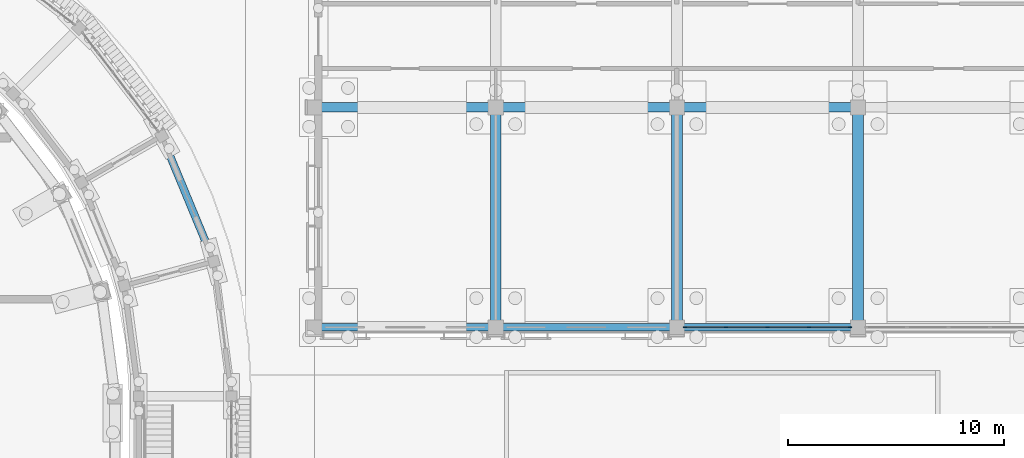
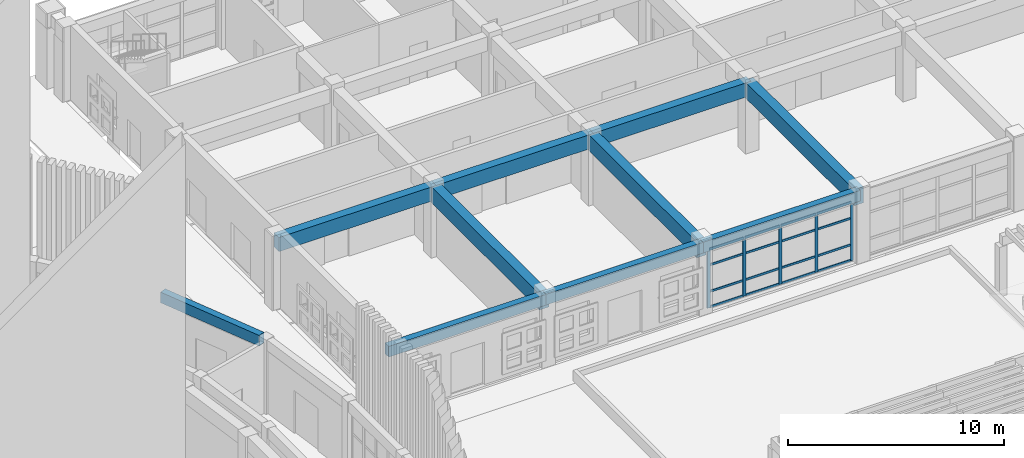
# One storey, part 35 of 112: 21 members, 10 beams, 1 element without a shape of its own.
"""IFC4 building model written with IfcOpenShell, lengths in metres."""

from ifc_helpers import new_model, si_unit, direction, frame, origin, origin_2d, place, context, subcontext, project, spatial, rectangle, extrude, material, layer, layer_set, material_profile, profile_set, type_object, element, aggregate, save


model = new_model("IFC4")

# Units and contexts
model_context = context("Model", 3, precision=1e-05, world=origin(), true_north=direction((0.0, 1.0)))
body_context = subcontext(model_context, "Body", "Model", "MODEL_VIEW")
ifc_project = project(units=[si_unit("LENGTHUNIT", "METRE"), si_unit("AREAUNIT", "SQUARE_METRE"), si_unit("VOLUMEUNIT", "CUBIC_METRE"), si_unit("PLANEANGLEUNIT", "RADIAN"), si_unit("MASSUNIT", "GRAM", prefix="KILO")], contexts=[model_context])

# Site, building, storey
site_placement = place(None, origin())
site = spatial("IfcSite", under=ifc_project, at=site_placement, CompositionType="ELEMENT")
building_placement = place(site_placement, origin())
building = spatial("IfcBuilding", under=site, at=building_placement, Name="Wasatch Bagh Community Centre", CompositionType="ELEMENT")
storey_placement = place(building_placement, origin())
storey = spatial("IfcBuildingStorey", under=building, at=storey_placement, Name="L00", CompositionType="ELEMENT", Elevation=0.0)

# Beams
ifc_material_1 = material(Name="Concrete C35", Category="concrete")
ifc_material_profile_1 = material_profile(ifc_material_1, rectangle(XDim=0.35009765625, YDim=0.60009765625, at=origin_2d()), Name="RC 350x600")
ifc_profile_set_1 = profile_set([ifc_material_profile_1], Name="Concrete C35")
beam_type_1 = type_object("IfcBeamType", Name="Drum ring beam RC 350x600", PredefinedType="BEAM", material=ifc_profile_set_1)
beam_1_placement = place(storey_placement, frame((59.2216796875, 71.505126953125, 3.89990234375), z_axis=(-0.38268910224, 0.923877183952, 0.0), x_axis=(-0.923877183952, -0.38268910224, 0.0)))
element("IfcBeam", 1, at=beam_1_placement, inside=storey, type_object=beam_type_1, Name="Ring beam 4.2 DO-N1-DO-N2", PredefinedType="BEAM", context=body_context, shape_type="SweptSolid", body=[
    extrude(rectangle(XDim=0.35009765625, YDim=0.60009765625, at=origin_2d()), origin(), (0.0, 0.0, 1.0), 5.753173828125),
])
ifc_material_profile_2 = material_profile(ifc_material_1, rectangle(XDim=0.35009765625, YDim=0.60009765625, at=origin_2d()), Name="RC 350x600")
ifc_profile_set_2 = profile_set([ifc_material_profile_2], Name="Concrete C35")
beam_type_2 = type_object("IfcBeamType", Name="LW RC 350x600", PredefinedType="BEAM", material=ifc_profile_set_2)
beam_2_placement = place(storey_placement, frame((64.0, 68.199951171875, 3.6201171875), z_axis=(1.0, 0.0, 0.0), x_axis=(0.0, 1.0, 0.0)))
element("IfcBeam", 2, at=beam_2_placement, inside=storey, type_object=beam_type_2, Name="W1-W2Z", PredefinedType="BEAM", context=body_context, shape_type="SweptSolid", body=[
    extrude(rectangle(XDim=0.35009765625, YDim=0.60009765625, at=origin_2d()), origin(), (0.0, 0.0, 1.0), 8.39990234375),
])
beam_3_placement = place(storey_placement, frame((72.39990234375, 68.199951171875, 3.6201171875), z_axis=(1.0, 0.0, 0.0), x_axis=(0.0, 1.0, 0.0)))
element("IfcBeam", 3, at=beam_3_placement, inside=storey, type_object=beam_type_2, Name="W2-W3Z", PredefinedType="BEAM", context=body_context, shape_type="SweptSolid", body=[
    extrude(rectangle(XDim=0.35009765625, YDim=0.60009765625, at=origin_2d()), origin(), (0.0, 0.0, 1.0), 8.400146484375),
])
beam_4_placement = place(storey_placement, frame((80.800048828125, 68.199951171875, 3.6201171875), z_axis=(1.0, 0.0, 0.0), x_axis=(0.0, 1.0, 0.0)))
element("IfcBeam", 4, at=beam_4_placement, inside=storey, type_object=beam_type_2, Name="W3-W4Z", PredefinedType="BEAM", context=body_context, shape_type="SweptSolid", body=[
    extrude(rectangle(XDim=0.35009765625, YDim=0.60009765625, at=origin_2d()), origin(), (0.0, 0.0, 1.0), 8.39990234375),
])
ifc_material_profile_3 = material_profile(ifc_material_1, rectangle(XDim=0.449951171875, YDim=0.800048828125, at=origin_2d()), Name="RC 450x800")
ifc_profile_set_3 = profile_set([ifc_material_profile_3], Name="Concrete C35")
beam_type_3 = type_object("IfcBeamType", Name="LW RC 450x800", PredefinedType="BEAM", material=ifc_profile_set_3)
beam_5_placement = place(storey_placement, frame((64.0, 78.39990234375, 3.52001953125), z_axis=(1.0, 0.0, 0.0), x_axis=(0.0, 1.0, 0.0)))
element("IfcBeam", 5, at=beam_5_placement, inside=storey, type_object=beam_type_3, Name="W1-W2S", PredefinedType="BEAM", context=body_context, shape_type="SweptSolid", body=[
    extrude(rectangle(XDim=0.449951171875, YDim=0.800048828125, at=origin_2d()), origin(), (0.0, 0.0, 1.0), 8.39990234375),
])
beam_6_placement = place(storey_placement, frame((72.39990234375, 78.39990234375, 3.52001953125), z_axis=(1.0, 0.0, 0.0), x_axis=(0.0, 1.0, 0.0)))
element("IfcBeam", 6, at=beam_6_placement, inside=storey, type_object=beam_type_3, Name="W2-W3S", PredefinedType="BEAM", context=body_context, shape_type="SweptSolid", body=[
    extrude(rectangle(XDim=0.449951171875, YDim=0.800048828125, at=origin_2d()), origin(), (0.0, 0.0, 1.0), 8.400146484375),
])
beam_7_placement = place(storey_placement, frame((80.800048828125, 78.39990234375, 3.52001953125), z_axis=(1.0, 0.0, 0.0), x_axis=(0.0, 1.0, 0.0)))
element("IfcBeam", 7, at=beam_7_placement, inside=storey, type_object=beam_type_3, Name="W3-W4S", PredefinedType="BEAM", context=body_context, shape_type="SweptSolid", body=[
    extrude(rectangle(XDim=0.449951171875, YDim=0.800048828125, at=origin_2d()), origin(), (0.0, 0.0, 1.0), 8.39990234375),
])
ifc_material_profile_4 = material_profile(ifc_material_1, rectangle(XDim=0.5, YDim=0.89990234375, at=origin_2d()), Name="RC 500x900")
ifc_profile_set_4 = profile_set([ifc_material_profile_4], Name="Concrete C35")
beam_type_4 = type_object("IfcBeamType", Name="LW RC 500x900", PredefinedType="BEAM", material=ifc_profile_set_4)
for number, where, z_axis, x_axis, name in (
    (8, (72.39990234375, 68.199951171875, 3.469970703125), (0.0, 1.0, 0.0), (-1.0, 0.0, 0.0), "W2Z-S"),
    (9, (80.800048828125, 68.199951171875, 3.469970703125), (0.0, 1.0, 0.0), (-1.0, 0.0, 0.0), "W3Z-S"),
    (10, (89.199951171875, 68.199951171875, 3.469970703125), (0.0, 1.0, 0.0), (-1.0, 0.0, 0.0), "W4Z-S"),
):
    element("IfcBeam", number, at=place(storey_placement, frame(where, z_axis=z_axis, x_axis=x_axis)), inside=storey, type_object=beam_type_4, Name=name, PredefinedType="BEAM", context=body_context, shape_type="SweptSolid", body=[
        extrude(rectangle(XDim=0.5, YDim=0.89990234375, at=origin_2d()), origin(), (0.0, 0.0, 1.0), 10.199951171875),
    ])

# Curtain wall, members
ifc_material_2 = material(Name="Aluminium curtain wall frame with low-iron glass", Category="aluminium")
ifc_layer = layer(ifc_material_2, 0.139892578125)
ifc_layer_set = layer_set([ifc_layer], Name="Aluminium curtain wall frame with low-iron glass")
curtain_wall_type = type_object("IfcCurtainWallType", Name="LW terrace front curtain wall 140", PredefinedType="NOTDEFINED", material=ifc_layer_set)
curtain_wall_placement = place(storey_placement, origin())
curtain_wall = element("IfcCurtainWall", 11, at=curtain_wall_placement, inside=storey, type_object=curtain_wall_type, Name="Curtain wall 00.01", PredefinedType="NOTDEFINED")
ifc_material_3 = material(Name="Aluminium extrusion", Category="aluminium")
ifc_material_profile_5 = material_profile(ifc_material_3, rectangle(XDim=0.06005859375, YDim=0.159912109375, at=origin_2d()), Name="AL 60x160")
ifc_profile_set_5 = profile_set([ifc_material_profile_5], Name="Aluminium extrusion")
member_type_1 = type_object("IfcMemberType", Name="LW curtain wall mullion 60x160 LW-CW3", PredefinedType="MULLION", material=ifc_profile_set_5)
member_1_placement = place(storey_placement, frame((81.179931640625, 68.199951171875, 0.0), z_axis=(0.0, 0.0, 1.0), x_axis=(0.0, 1.0, 0.0)))
member_1 = element("IfcMember", 12, at=member_1_placement, type_object=member_type_1, Name="LW-CW3 mullion 1", PredefinedType="MULLION", context=body_context, shape_type="SweptSolid", body=[
    extrude(rectangle(XDim=0.06005859375, YDim=0.159912109375, at=origin_2d()), origin(), (0.0, 0.0, 1.0), 3.320068359375),
])
member_2_placement = place(storey_placement, frame((83.074951171875, 68.199951171875, 0.0), z_axis=(0.0, 0.0, 1.0), x_axis=(0.0, 1.0, 0.0)))
member_2 = element("IfcMember", 13, at=member_2_placement, type_object=member_type_1, Name="LW-CW3 mullion 2", PredefinedType="MULLION", context=body_context, shape_type="SweptSolid", body=[
    extrude(rectangle(XDim=0.06005859375, YDim=0.159912109375, at=origin_2d()), origin(), (0.0, 0.0, 1.0), 3.320068359375),
])
member_3_placement = place(storey_placement, frame((85.0, 68.199951171875, 0.0), z_axis=(0.0, 0.0, 1.0), x_axis=(0.0, 1.0, 0.0)))
member_3 = element("IfcMember", 14, at=member_3_placement, type_object=member_type_1, Name="LW-CW3 mullion 3", PredefinedType="MULLION", context=body_context, shape_type="SweptSolid", body=[
    extrude(rectangle(XDim=0.06005859375, YDim=0.159912109375, at=origin_2d()), origin(), (0.0, 0.0, 1.0), 3.320068359375),
])
member_4_placement = place(storey_placement, frame((86.925048828125, 68.199951171875, 0.0), z_axis=(0.0, 0.0, 1.0), x_axis=(0.0, 1.0, 0.0)))
member_4 = element("IfcMember", 15, at=member_4_placement, type_object=member_type_1, Name="LW-CW3 mullion 4", PredefinedType="MULLION", context=body_context, shape_type="SweptSolid", body=[
    extrude(rectangle(XDim=0.06005859375, YDim=0.159912109375, at=origin_2d()), origin(), (0.0, 0.0, 1.0), 3.320068359375),
])
member_5_placement = place(storey_placement, frame((88.820068359375, 68.199951171875, 0.0), z_axis=(0.0, 0.0, 1.0), x_axis=(0.0, 1.0, 0.0)))
member_5 = element("IfcMember", 16, at=member_5_placement, type_object=member_type_1, Name="LW-CW3 mullion 5", PredefinedType="MULLION", context=body_context, shape_type="SweptSolid", body=[
    extrude(rectangle(XDim=0.06005859375, YDim=0.159912109375, at=origin_2d()), origin(), (0.0, 0.0, 1.0), 3.320068359375),
])
ifc_material_profile_6 = material_profile(ifc_material_3, rectangle(XDim=0.06005859375, YDim=0.1201171875, at=origin_2d()), Name="AL 60x120")
ifc_profile_set_6 = profile_set([ifc_material_profile_6], Name="Aluminium extrusion")
member_type_2 = type_object("IfcMemberType", Name="LW curtain wall transom 60x120 LW-CW3", PredefinedType="USERDEFINED", material=ifc_profile_set_6)
member_6_placement = place(storey_placement, frame((81.2099609375, 68.199951171875, 0.030029296875), z_axis=(1.0, 0.0, 0.0), x_axis=(0.0, 1.0, 0.0)))
member_6 = element("IfcMember", 17, at=member_6_placement, type_object=member_type_2, Name="LW-CW3 transom 1.1", ObjectType="TRANSOM", PredefinedType="USERDEFINED", context=body_context, shape_type="SweptSolid", body=[
    extrude(rectangle(XDim=0.06005859375, YDim=0.1201171875, at=origin_2d()), origin(), (0.0, 0.0, 1.0), 1.8349609375),
])
member_7_placement = place(storey_placement, frame((81.2099609375, 68.199951171875, 0.89990234375), z_axis=(1.0, 0.0, 0.0), x_axis=(0.0, 1.0, 0.0)))
member_7 = element("IfcMember", 18, at=member_7_placement, type_object=member_type_2, Name="LW-CW3 transom 1.2", ObjectType="TRANSOM", PredefinedType="USERDEFINED", context=body_context, shape_type="SweptSolid", body=[
    extrude(rectangle(XDim=0.06005859375, YDim=0.1201171875, at=origin_2d()), origin(), (0.0, 0.0, 1.0), 1.8349609375),
])
member_8_placement = place(storey_placement, frame((81.2099609375, 68.199951171875, 2.39990234375), z_axis=(1.0, 0.0, 0.0), x_axis=(0.0, 1.0, 0.0)))
member_8 = element("IfcMember", 19, at=member_8_placement, type_object=member_type_2, Name="LW-CW3 transom 1.3", ObjectType="TRANSOM", PredefinedType="USERDEFINED", context=body_context, shape_type="SweptSolid", body=[
    extrude(rectangle(XDim=0.06005859375, YDim=0.1201171875, at=origin_2d()), origin(), (0.0, 0.0, 1.0), 1.8349609375),
])
member_9_placement = place(storey_placement, frame((81.2099609375, 68.199951171875, 3.2900390625), z_axis=(1.0, 0.0, 0.0), x_axis=(0.0, 1.0, 0.0)))
member_9 = element("IfcMember", 20, at=member_9_placement, type_object=member_type_2, Name="LW-CW3 transom 1.4", ObjectType="TRANSOM", PredefinedType="USERDEFINED", context=body_context, shape_type="SweptSolid", body=[
    extrude(rectangle(XDim=0.06005859375, YDim=0.1201171875, at=origin_2d()), origin(), (0.0, 0.0, 1.0), 1.8349609375),
])
member_10_placement = place(storey_placement, frame((83.10498046875, 68.199951171875, 0.030029296875), z_axis=(1.0, 0.0, 0.0), x_axis=(0.0, 1.0, 0.0)))
member_10 = element("IfcMember", 21, at=member_10_placement, type_object=member_type_2, Name="LW-CW3 transom 2.1", ObjectType="TRANSOM", PredefinedType="USERDEFINED", context=body_context, shape_type="SweptSolid", body=[
    extrude(rectangle(XDim=0.06005859375, YDim=0.1201171875, at=origin_2d()), origin(), (0.0, 0.0, 1.0), 1.864990234375),
])
member_11_placement = place(storey_placement, frame((83.10498046875, 68.199951171875, 0.89990234375), z_axis=(1.0, 0.0, 0.0), x_axis=(0.0, 1.0, 0.0)))
member_11 = element("IfcMember", 22, at=member_11_placement, type_object=member_type_2, Name="LW-CW3 transom 2.2", ObjectType="TRANSOM", PredefinedType="USERDEFINED", context=body_context, shape_type="SweptSolid", body=[
    extrude(rectangle(XDim=0.06005859375, YDim=0.1201171875, at=origin_2d()), origin(), (0.0, 0.0, 1.0), 1.864990234375),
])
member_12_placement = place(storey_placement, frame((83.10498046875, 68.199951171875, 2.39990234375), z_axis=(1.0, 0.0, 0.0), x_axis=(0.0, 1.0, 0.0)))
member_12 = element("IfcMember", 23, at=member_12_placement, type_object=member_type_2, Name="LW-CW3 transom 2.3", ObjectType="TRANSOM", PredefinedType="USERDEFINED", context=body_context, shape_type="SweptSolid", body=[
    extrude(rectangle(XDim=0.06005859375, YDim=0.1201171875, at=origin_2d()), origin(), (0.0, 0.0, 1.0), 1.864990234375),
])
member_13_placement = place(storey_placement, frame((83.10498046875, 68.199951171875, 3.2900390625), z_axis=(1.0, 0.0, 0.0), x_axis=(0.0, 1.0, 0.0)))
member_13 = element("IfcMember", 24, at=member_13_placement, type_object=member_type_2, Name="LW-CW3 transom 2.4", ObjectType="TRANSOM", PredefinedType="USERDEFINED", context=body_context, shape_type="SweptSolid", body=[
    extrude(rectangle(XDim=0.06005859375, YDim=0.1201171875, at=origin_2d()), origin(), (0.0, 0.0, 1.0), 1.864990234375),
])
member_14_placement = place(storey_placement, frame((85.030029296875, 68.199951171875, 0.030029296875), z_axis=(1.0, 0.0, 0.0), x_axis=(0.0, 1.0, 0.0)))
member_14 = element("IfcMember", 25, at=member_14_placement, type_object=member_type_2, Name="LW-CW3 transom 3.1", ObjectType="TRANSOM", PredefinedType="USERDEFINED", context=body_context, shape_type="SweptSolid", body=[
    extrude(rectangle(XDim=0.06005859375, YDim=0.1201171875, at=origin_2d()), origin(), (0.0, 0.0, 1.0), 1.864990234375),
])
member_15_placement = place(storey_placement, frame((85.030029296875, 68.199951171875, 0.89990234375), z_axis=(1.0, 0.0, 0.0), x_axis=(0.0, 1.0, 0.0)))
member_15 = element("IfcMember", 26, at=member_15_placement, type_object=member_type_2, Name="LW-CW3 transom 3.2", ObjectType="TRANSOM", PredefinedType="USERDEFINED", context=body_context, shape_type="SweptSolid", body=[
    extrude(rectangle(XDim=0.06005859375, YDim=0.1201171875, at=origin_2d()), origin(), (0.0, 0.0, 1.0), 1.864990234375),
])
member_16_placement = place(storey_placement, frame((85.030029296875, 68.199951171875, 2.39990234375), z_axis=(1.0, 0.0, 0.0), x_axis=(0.0, 1.0, 0.0)))
member_16 = element("IfcMember", 27, at=member_16_placement, type_object=member_type_2, Name="LW-CW3 transom 3.3", ObjectType="TRANSOM", PredefinedType="USERDEFINED", context=body_context, shape_type="SweptSolid", body=[
    extrude(rectangle(XDim=0.06005859375, YDim=0.1201171875, at=origin_2d()), origin(), (0.0, 0.0, 1.0), 1.864990234375),
])
member_17_placement = place(storey_placement, frame((85.030029296875, 68.199951171875, 3.2900390625), z_axis=(1.0, 0.0, 0.0), x_axis=(0.0, 1.0, 0.0)))
member_17 = element("IfcMember", 28, at=member_17_placement, type_object=member_type_2, Name="LW-CW3 transom 3.4", ObjectType="TRANSOM", PredefinedType="USERDEFINED", context=body_context, shape_type="SweptSolid", body=[
    extrude(rectangle(XDim=0.06005859375, YDim=0.1201171875, at=origin_2d()), origin(), (0.0, 0.0, 1.0), 1.864990234375),
])
member_18_placement = place(storey_placement, frame((86.955078125, 68.199951171875, 0.030029296875), z_axis=(1.0, 0.0, 0.0), x_axis=(0.0, 1.0, 0.0)))
member_18 = element("IfcMember", 29, at=member_18_placement, type_object=member_type_2, Name="LW-CW3 transom 4.1", ObjectType="TRANSOM", PredefinedType="USERDEFINED", context=body_context, shape_type="SweptSolid", body=[
    extrude(rectangle(XDim=0.06005859375, YDim=0.1201171875, at=origin_2d()), origin(), (0.0, 0.0, 1.0), 1.8349609375),
])
member_19_placement = place(storey_placement, frame((86.955078125, 68.199951171875, 0.89990234375), z_axis=(1.0, 0.0, 0.0), x_axis=(0.0, 1.0, 0.0)))
member_19 = element("IfcMember", 30, at=member_19_placement, type_object=member_type_2, Name="LW-CW3 transom 4.2", ObjectType="TRANSOM", PredefinedType="USERDEFINED", context=body_context, shape_type="SweptSolid", body=[
    extrude(rectangle(XDim=0.06005859375, YDim=0.1201171875, at=origin_2d()), origin(), (0.0, 0.0, 1.0), 1.8349609375),
])
member_20_placement = place(storey_placement, frame((86.955078125, 68.199951171875, 2.39990234375), z_axis=(1.0, 0.0, 0.0), x_axis=(0.0, 1.0, 0.0)))
member_20 = element("IfcMember", 31, at=member_20_placement, type_object=member_type_2, Name="LW-CW3 transom 4.3", ObjectType="TRANSOM", PredefinedType="USERDEFINED", context=body_context, shape_type="SweptSolid", body=[
    extrude(rectangle(XDim=0.06005859375, YDim=0.1201171875, at=origin_2d()), origin(), (0.0, 0.0, 1.0), 1.8349609375),
])
member_21_placement = place(storey_placement, frame((86.955078125, 68.199951171875, 3.2900390625), z_axis=(1.0, 0.0, 0.0), x_axis=(0.0, 1.0, 0.0)))
member_21 = element("IfcMember", 32, at=member_21_placement, type_object=member_type_2, Name="LW-CW3 transom 4.4", ObjectType="TRANSOM", PredefinedType="USERDEFINED", context=body_context, shape_type="SweptSolid", body=[
    extrude(rectangle(XDim=0.06005859375, YDim=0.1201171875, at=origin_2d()), origin(), (0.0, 0.0, 1.0), 1.8349609375),
])
aggregate(curtain_wall, [member_1, member_2, member_3, member_4, member_5, member_6, member_7, member_8, member_9, member_10, member_11, member_12, member_13, member_14, member_15, member_16, member_17, member_18, member_19, member_20, member_21])

save(model, "model.ifc")
